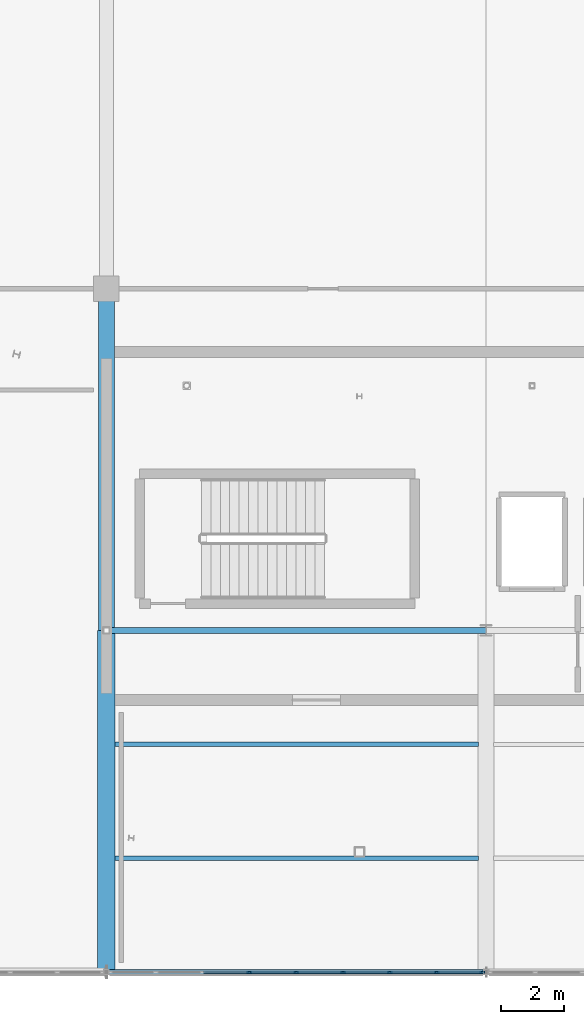
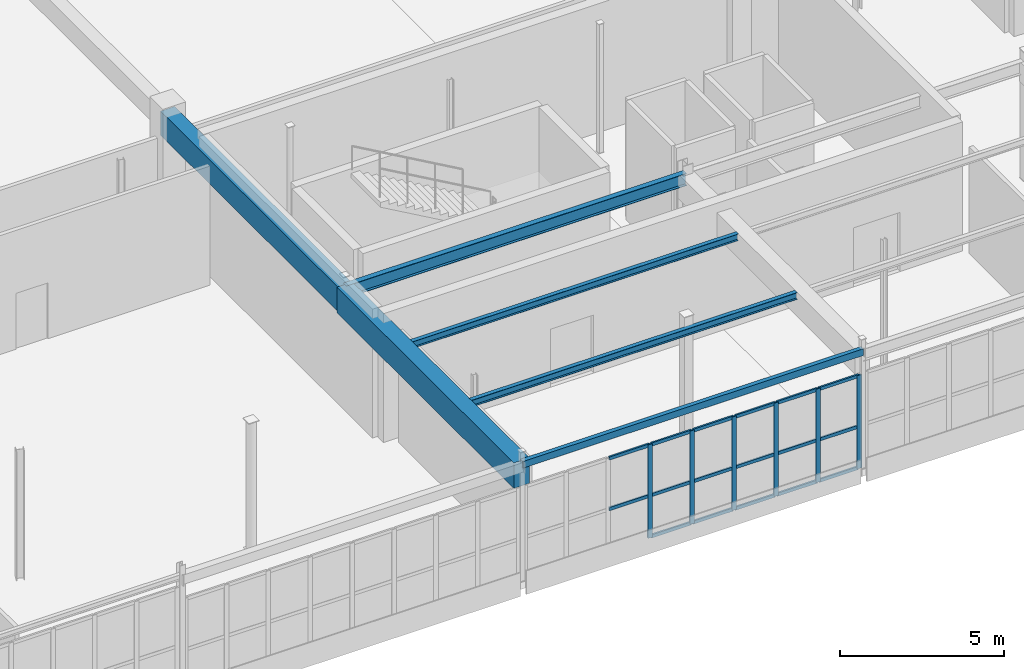
# One storey, part 78 of 226: 23 members, 6 beams, 1 element without a shape of its own.
"""IFC4 building model written with IfcOpenShell, lengths in metres."""

from ifc_helpers import new_model, si_unit, direction, frame, origin, origin_2d, place, context, subcontext, project, spatial, rectangle, hollow_rectangle, i_section, extrude, material, layer, layer_set, material_profile, profile_set, type_object, element, aggregate, save


model = new_model("IFC4")

# Units and contexts
model_context = context("Model", 3, precision=1e-05, world=origin(), true_north=direction((0.0, 1.0)))
body_context = subcontext(model_context, "Body", "Model", "MODEL_VIEW")
ifc_project = project(units=[si_unit("LENGTHUNIT", "METRE"), si_unit("AREAUNIT", "SQUARE_METRE"), si_unit("VOLUMEUNIT", "CUBIC_METRE"), si_unit("PLANEANGLEUNIT", "RADIAN"), si_unit("MASSUNIT", "GRAM", prefix="KILO")], contexts=[model_context])

# Site, building, storey
site_placement = place(None, origin())
site = spatial("IfcSite", under=ifc_project, at=site_placement, CompositionType="ELEMENT")
building_placement = place(site_placement, origin())
building = spatial("IfcBuilding", under=site, at=building_placement, Name="Tarnwether General Hospital", CompositionType="ELEMENT")
storey_placement = place(building_placement, frame((0.0, 0.0, 4.800048828125)))
storey = spatial("IfcBuildingStorey", under=building, at=storey_placement, Name="L01", CompositionType="ELEMENT", Elevation=4.800048828125)

# Beams
ifc_material_1 = material(Name="Steel Grade 350 (350 MPa)", Category="steel")
ifc_material_profile_1 = material_profile(ifc_material_1, i_section(OverallWidth=0.18994140625, OverallDepth=0.45703125, WebThickness=0.009033203125, FlangeThickness=0.014404296875, at=origin_2d()), Name="460UB74.6")
ifc_profile_set_1 = profile_set([ifc_material_profile_1], Name="Steel Grade 350 (350 MPa)")
beam_type_1 = type_object("IfcBeamType", Name="BM-G09", PredefinedType="BEAM", material=ifc_profile_set_1)
beam_1_placement = place(storey_placement, frame((84.0, 10.800048828125, 4.216552734375), z_axis=(1.0, 0.0, 0.0), x_axis=(0.0, 1.0, 0.0)))
element("IfcBeam", 1, at=beam_1_placement, inside=storey, type_object=beam_type_1, Name="Primary Girder BMG-L01-8400_1080-9600_1080-1145", PredefinedType="BEAM", context=body_context, shape_type="SweptSolid", body=[
    extrude(i_section(OverallWidth=0.18994140625, OverallDepth=0.45703125, WebThickness=0.009033203125, FlangeThickness=0.014404296875, at=origin_2d()), origin(), (0.0, 0.0, 1.0), 12.0),
])
ifc_material_2 = material(Name="Concrete 40 MPa", Category="concrete")
ifc_material_profile_2 = material_profile(ifc_material_2, rectangle(XDim=0.550048828125, YDim=0.949951171875, at=origin_2d()), Name="RC-BM-550x950")
ifc_profile_set_2 = profile_set([ifc_material_profile_2], Name="Concrete 40 MPa")
beam_type_2 = type_object("IfcBeamType", Name="BM-G11", PredefinedType="BEAM", material=ifc_profile_set_2)
beam_2_placement = place(storey_placement, frame((84.0, 0.0, 3.969970703125), z_axis=(0.0, 1.0, 0.0), x_axis=(-1.0, 0.0, 0.0)))
element("IfcBeam", 2, at=beam_2_placement, inside=storey, type_object=beam_type_2, Name="Primary Girder BMG-L01-8400_0-8400_1080-1144", PredefinedType="BEAM", context=body_context, shape_type="SweptSolid", body=[
    extrude(rectangle(XDim=0.550048828125, YDim=0.949951171875, at=origin_2d()), origin(), (0.0, 0.0, 1.0), 10.800048828125),
])
ifc_material_3 = material(Name="Concrete 40 MPa", Category="concrete")
ifc_material_profile_3 = material_profile(ifc_material_3, rectangle(XDim=0.5, YDim=0.89990234375, at=origin_2d()), Name="RC-BM-500x900")
ifc_profile_set_3 = profile_set([ifc_material_profile_3], Name="Concrete 40 MPa")
beam_type_3 = type_object("IfcBeamType", Name="BM-G12", PredefinedType="BEAM", material=ifc_profile_set_3)
beam_3_placement = place(storey_placement, frame((84.0, 10.800048828125, 3.994873046875), z_axis=(0.0, 1.0, 0.0), x_axis=(-1.0, 0.0, 0.0)))
element("IfcBeam", 3, at=beam_3_placement, inside=storey, type_object=beam_type_3, Name="Primary Girder BMG-L01-8400_1080-8400_2160-1146", PredefinedType="BEAM", context=body_context, shape_type="SweptSolid", body=[
    extrude(rectangle(XDim=0.5, YDim=0.89990234375, at=origin_2d()), origin(), (0.0, 0.0, 1.0), 10.800048828125),
])
ifc_material_4 = material(Name="Steel Grade 350 (350 MPa)", Category="steel")
ifc_material_profile_4 = material_profile(ifc_material_4, i_section(OverallWidth=0.14599609375, OverallDepth=0.256103515625, WebThickness=0.00634765625, FlangeThickness=0.010986328125, at=origin_2d()), Name="250UB37.3")
ifc_profile_set_4 = profile_set([ifc_material_profile_4], Name="Steel Grade 350 (350 MPa)")
beam_type_4 = type_object("IfcBeamType", Name="BM-J09", PredefinedType="JOIST", material=ifc_profile_set_4)
beam_4_placement = place(storey_placement, frame((84.26904296875, 3.60009765625, 4.31689453125), z_axis=(1.0, 0.0, 0.0), x_axis=(0.0, 1.0, 0.0)))
element("IfcBeam", 4, at=beam_4_placement, inside=storey, type_object=beam_type_4, Name="Composite Floor Joist BMG-L01-8427_360-9576_360-1361", PredefinedType="JOIST", context=body_context, shape_type="SweptSolid", body=[
    extrude(i_section(OverallWidth=0.14599609375, OverallDepth=0.256103515625, WebThickness=0.00634765625, FlangeThickness=0.010986328125, at=origin_2d()), origin(), (0.0, 0.0, 1.0), 11.487060546875),
])
ifc_material_5 = material(Name="Steel Grade 350 (350 MPa)", Category="steel")
ifc_material_profile_5 = material_profile(ifc_material_5, i_section(OverallWidth=0.14599609375, OverallDepth=0.251953125, WebThickness=0.006103515625, FlangeThickness=0.008544921875, at=origin_2d()), Name="250UB31.4")
ifc_profile_set_5 = profile_set([ifc_material_profile_5], Name="Steel Grade 350 (350 MPa)")
beam_type_5 = type_object("IfcBeamType", Name="BM-J10", PredefinedType="JOIST", material=ifc_profile_set_5)
beam_5_placement = place(storey_placement, frame((84.26904296875, 7.199951171875, 4.31884765625), z_axis=(1.0, 0.0, 0.0), x_axis=(0.0, 1.0, 0.0)))
element("IfcBeam", 5, at=beam_5_placement, inside=storey, type_object=beam_type_5, Name="Composite Floor Joist BMG-L01-8427_720-9576_720-1362", PredefinedType="JOIST", context=body_context, shape_type="SweptSolid", body=[
    extrude(i_section(OverallWidth=0.14599609375, OverallDepth=0.251953125, WebThickness=0.006103515625, FlangeThickness=0.008544921875, at=origin_2d()), origin(), (0.0, 0.0, 1.0), 11.487060546875),
])
ifc_material_6 = material(Name="Steel Grade C350L0 (350 MPa)", Category="steel")
ifc_material_profile_6 = material_profile(ifc_material_6, hollow_rectangle(XDim=0.14990234375, YDim=0.25, WallThickness=0.008056640625, at=origin_2d()), Name="RHS250x150x8")
ifc_profile_set_6 = profile_set([ifc_material_profile_6], Name="Steel Grade C350L0 (350 MPa)")
beam_type_6 = type_object("IfcBeamType", Name="BM-SP8", PredefinedType="SPANDREL", material=ifc_profile_set_6)
beam_6_placement = place(storey_placement, frame((84.0, 0.0, 4.320068359375), z_axis=(1.0, 0.0, 0.0), x_axis=(0.0, 1.0, 0.0)))
element("IfcBeam", 6, at=beam_6_placement, inside=storey, type_object=beam_type_6, Name="Primary Girder BMG-L01-8400_0-9600_0-1143", PredefinedType="SPANDREL", context=body_context, shape_type="SweptSolid", body=[
    extrude(hollow_rectangle(XDim=0.14990234375, YDim=0.25, WallThickness=0.008056640625, at=origin_2d()), origin(), (0.0, 0.0, 1.0), 12.0),
])

# Curtain wall, members
ifc_material_7 = material(Name="Anodised aluminium", Category="aluminium")
ifc_layer = layer(ifc_material_7, 0.159912109375)
ifc_layer_set = layer_set([ifc_layer], Name="Anodised aluminium")
curtain_wall_type = type_object("IfcCurtainWallType", Name="CW-13", PredefinedType="NOTDEFINED", material=ifc_layer_set)
curtain_wall_placement = place(storey_placement, origin())
curtain_wall = element("IfcCurtainWall", 7, at=curtain_wall_placement, inside=storey, type_object=curtain_wall_type, Name="Curtain Wall CWG-L01-959_0-0332", PredefinedType="NOTDEFINED")
ifc_material_8 = material(Name="Anodised aluminium", Category="aluminium")
ifc_material_profile_7 = material_profile(ifc_material_8, rectangle(XDim=0.06005859375, YDim=0.159912109375, at=origin_2d()), Name="ALU-MUL-60x160")
ifc_profile_set_7 = profile_set([ifc_material_profile_7], Name="Anodised aluminium")
member_type_1 = type_object("IfcMemberType", Name="CW-ML1", PredefinedType="MULLION", material=ifc_profile_set_7)
member_1_placement = place(storey_placement, frame((95.886962890625, 0.0, 0.0), z_axis=(0.0, 0.0, 1.0), x_axis=(0.0, -1.0, 0.0)))
member_1 = element("IfcMember", 8, at=member_1_placement, type_object=member_type_1, Name="CW-13 mullion 1", PredefinedType="MULLION", context=body_context, shape_type="SweptSolid", body=[
    extrude(rectangle(XDim=0.06005859375, YDim=0.159912109375, at=origin_2d()), origin(), (0.0, 0.0, 1.0), 3.47998046875),
])
member_2_placement = place(storey_placement, frame((94.437744140625, 0.0, 0.0), z_axis=(0.0, 0.0, 1.0), x_axis=(0.0, -1.0, 0.0)))
member_2 = element("IfcMember", 9, at=member_2_placement, type_object=member_type_1, Name="CW-13 mullion 2", PredefinedType="MULLION", context=body_context, shape_type="SweptSolid", body=[
    extrude(rectangle(XDim=0.06005859375, YDim=0.159912109375, at=origin_2d()), origin(), (0.0, 0.0, 1.0), 3.47998046875),
])
member_3_placement = place(storey_placement, frame((92.95849609375, 0.0, 0.0), z_axis=(0.0, 0.0, 1.0), x_axis=(0.0, -1.0, 0.0)))
member_3 = element("IfcMember", 10, at=member_3_placement, type_object=member_type_1, Name="CW-13 mullion 3", PredefinedType="MULLION", context=body_context, shape_type="SweptSolid", body=[
    extrude(rectangle(XDim=0.06005859375, YDim=0.159912109375, at=origin_2d()), origin(), (0.0, 0.0, 1.0), 3.47998046875),
])
member_4_placement = place(storey_placement, frame((91.479248046875, 0.0, 0.0), z_axis=(0.0, 0.0, 1.0), x_axis=(0.0, -1.0, 0.0)))
member_4 = element("IfcMember", 11, at=member_4_placement, type_object=member_type_1, Name="CW-13 mullion 4", PredefinedType="MULLION", context=body_context, shape_type="SweptSolid", body=[
    extrude(rectangle(XDim=0.06005859375, YDim=0.159912109375, at=origin_2d()), origin(), (0.0, 0.0, 1.0), 3.47998046875),
])
member_5_placement = place(storey_placement, frame((90.0, 0.0, 0.0), z_axis=(0.0, 0.0, 1.0), x_axis=(0.0, -1.0, 0.0)))
member_5 = element("IfcMember", 12, at=member_5_placement, type_object=member_type_1, Name="CW-13 mullion 5", PredefinedType="MULLION", context=body_context, shape_type="SweptSolid", body=[
    extrude(rectangle(XDim=0.06005859375, YDim=0.159912109375, at=origin_2d()), origin(), (0.0, 0.0, 1.0), 3.47998046875),
])
member_6_placement = place(storey_placement, frame((88.520751953125, 0.0, 0.0), z_axis=(0.0, 0.0, 1.0), x_axis=(0.0, -1.0, 0.0)))
member_6 = element("IfcMember", 13, at=member_6_placement, type_object=member_type_1, Name="CW-13 mullion 6", PredefinedType="MULLION", context=body_context, shape_type="SweptSolid", body=[
    extrude(rectangle(XDim=0.06005859375, YDim=0.159912109375, at=origin_2d()), origin(), (0.0, 0.0, 1.0), 3.47998046875),
])
ifc_material_9 = material(Name="Anodised aluminium", Category="aluminium")
ifc_material_profile_8 = material_profile(ifc_material_9, rectangle(XDim=0.06005859375, YDim=0.1201171875, at=origin_2d()), Name="ALU-TRN-60x120")
ifc_profile_set_8 = profile_set([ifc_material_profile_8], Name="Anodised aluminium")
member_type_2 = type_object("IfcMemberType", Name="CW-TR1", PredefinedType="USERDEFINED", material=ifc_profile_set_8)
member_7_placement = place(storey_placement, frame((95.85693359375, 0.0, 0.030029296875), z_axis=(-1.0, 0.0, 0.0), x_axis=(0.0, -1.0, 0.0)))
member_7 = element("IfcMember", 14, at=member_7_placement, type_object=member_type_2, Name="CW-13 transom 1.1", ObjectType="TRANSOM", PredefinedType="USERDEFINED", context=body_context, shape_type="SweptSolid", body=[
    extrude(rectangle(XDim=0.06005859375, YDim=0.1201171875, at=origin_2d()), origin(), (0.0, 0.0, 1.0), 1.38916015625),
])
member_8_placement = place(storey_placement, frame((95.85693359375, 0.0, 1.56591796875), z_axis=(-1.0, 0.0, 0.0), x_axis=(0.0, -1.0, 0.0)))
member_8 = element("IfcMember", 15, at=member_8_placement, type_object=member_type_2, Name="CW-13 transom 1.2", ObjectType="TRANSOM", PredefinedType="USERDEFINED", context=body_context, shape_type="SweptSolid", body=[
    extrude(rectangle(XDim=0.06005859375, YDim=0.1201171875, at=origin_2d()), origin(), (0.0, 0.0, 1.0), 1.38916015625),
])
member_9_placement = place(storey_placement, frame((95.85693359375, 0.0, 3.449951171875), z_axis=(-1.0, 0.0, 0.0), x_axis=(0.0, -1.0, 0.0)))
member_9 = element("IfcMember", 16, at=member_9_placement, type_object=member_type_2, Name="CW-13 transom 1.3", ObjectType="TRANSOM", PredefinedType="USERDEFINED", context=body_context, shape_type="SweptSolid", body=[
    extrude(rectangle(XDim=0.06005859375, YDim=0.1201171875, at=origin_2d()), origin(), (0.0, 0.0, 1.0), 1.38916015625),
])
member_10_placement = place(storey_placement, frame((94.40771484375, 0.0, 0.030029296875), z_axis=(-1.0, 0.0, 0.0), x_axis=(0.0, -1.0, 0.0)))
member_10 = element("IfcMember", 17, at=member_10_placement, type_object=member_type_2, Name="CW-13 transom 2.1", ObjectType="TRANSOM", PredefinedType="USERDEFINED", context=body_context, shape_type="SweptSolid", body=[
    extrude(rectangle(XDim=0.06005859375, YDim=0.1201171875, at=origin_2d()), origin(), (0.0, 0.0, 1.0), 1.419189453125),
])
member_11_placement = place(storey_placement, frame((94.40771484375, 0.0, 1.56591796875), z_axis=(-1.0, 0.0, 0.0), x_axis=(0.0, -1.0, 0.0)))
member_11 = element("IfcMember", 18, at=member_11_placement, type_object=member_type_2, Name="CW-13 transom 2.2", ObjectType="TRANSOM", PredefinedType="USERDEFINED", context=body_context, shape_type="SweptSolid", body=[
    extrude(rectangle(XDim=0.06005859375, YDim=0.1201171875, at=origin_2d()), origin(), (0.0, 0.0, 1.0), 1.419189453125),
])
member_12_placement = place(storey_placement, frame((94.40771484375, 0.0, 3.449951171875), z_axis=(-1.0, 0.0, 0.0), x_axis=(0.0, -1.0, 0.0)))
member_12 = element("IfcMember", 19, at=member_12_placement, type_object=member_type_2, Name="CW-13 transom 2.3", ObjectType="TRANSOM", PredefinedType="USERDEFINED", context=body_context, shape_type="SweptSolid", body=[
    extrude(rectangle(XDim=0.06005859375, YDim=0.1201171875, at=origin_2d()), origin(), (0.0, 0.0, 1.0), 1.419189453125),
])
member_13_placement = place(storey_placement, frame((92.928466796875, 0.0, 0.030029296875), z_axis=(-1.0, 0.0, 0.0), x_axis=(0.0, -1.0, 0.0)))
member_13 = element("IfcMember", 20, at=member_13_placement, type_object=member_type_2, Name="CW-13 transom 3.1", ObjectType="TRANSOM", PredefinedType="USERDEFINED", context=body_context, shape_type="SweptSolid", body=[
    extrude(rectangle(XDim=0.06005859375, YDim=0.1201171875, at=origin_2d()), origin(), (0.0, 0.0, 1.0), 1.419189453125),
])
member_14_placement = place(storey_placement, frame((92.928466796875, 0.0, 1.56591796875), z_axis=(-1.0, 0.0, 0.0), x_axis=(0.0, -1.0, 0.0)))
member_14 = element("IfcMember", 21, at=member_14_placement, type_object=member_type_2, Name="CW-13 transom 3.2", ObjectType="TRANSOM", PredefinedType="USERDEFINED", context=body_context, shape_type="SweptSolid", body=[
    extrude(rectangle(XDim=0.06005859375, YDim=0.1201171875, at=origin_2d()), origin(), (0.0, 0.0, 1.0), 1.419189453125),
])
member_15_placement = place(storey_placement, frame((92.928466796875, 0.0, 3.449951171875), z_axis=(-1.0, 0.0, 0.0), x_axis=(0.0, -1.0, 0.0)))
member_15 = element("IfcMember", 22, at=member_15_placement, type_object=member_type_2, Name="CW-13 transom 3.3", ObjectType="TRANSOM", PredefinedType="USERDEFINED", context=body_context, shape_type="SweptSolid", body=[
    extrude(rectangle(XDim=0.06005859375, YDim=0.1201171875, at=origin_2d()), origin(), (0.0, 0.0, 1.0), 1.419189453125),
])
member_16_placement = place(storey_placement, frame((91.44921875, 0.0, 0.030029296875), z_axis=(-1.0, 0.0, 0.0), x_axis=(0.0, -1.0, 0.0)))
member_16 = element("IfcMember", 23, at=member_16_placement, type_object=member_type_2, Name="CW-13 transom 4.1", ObjectType="TRANSOM", PredefinedType="USERDEFINED", context=body_context, shape_type="SweptSolid", body=[
    extrude(rectangle(XDim=0.06005859375, YDim=0.1201171875, at=origin_2d()), origin(), (0.0, 0.0, 1.0), 1.419189453125),
])
member_17_placement = place(storey_placement, frame((91.44921875, 0.0, 1.56591796875), z_axis=(-1.0, 0.0, 0.0), x_axis=(0.0, -1.0, 0.0)))
member_17 = element("IfcMember", 24, at=member_17_placement, type_object=member_type_2, Name="CW-13 transom 4.2", ObjectType="TRANSOM", PredefinedType="USERDEFINED", context=body_context, shape_type="SweptSolid", body=[
    extrude(rectangle(XDim=0.06005859375, YDim=0.1201171875, at=origin_2d()), origin(), (0.0, 0.0, 1.0), 1.419189453125),
])
member_18_placement = place(storey_placement, frame((91.44921875, 0.0, 3.449951171875), z_axis=(-1.0, 0.0, 0.0), x_axis=(0.0, -1.0, 0.0)))
member_18 = element("IfcMember", 25, at=member_18_placement, type_object=member_type_2, Name="CW-13 transom 4.3", ObjectType="TRANSOM", PredefinedType="USERDEFINED", context=body_context, shape_type="SweptSolid", body=[
    extrude(rectangle(XDim=0.06005859375, YDim=0.1201171875, at=origin_2d()), origin(), (0.0, 0.0, 1.0), 1.419189453125),
])
member_19_placement = place(storey_placement, frame((89.969970703125, 0.0, 0.030029296875), z_axis=(-1.0, 0.0, 0.0), x_axis=(0.0, -1.0, 0.0)))
member_19 = element("IfcMember", 26, at=member_19_placement, type_object=member_type_2, Name="CW-13 transom 5.1", ObjectType="TRANSOM", PredefinedType="USERDEFINED", context=body_context, shape_type="SweptSolid", body=[
    extrude(rectangle(XDim=0.06005859375, YDim=0.1201171875, at=origin_2d()), origin(), (0.0, 0.0, 1.0), 1.419189453125),
])
member_20_placement = place(storey_placement, frame((89.969970703125, 0.0, 1.56591796875), z_axis=(-1.0, 0.0, 0.0), x_axis=(0.0, -1.0, 0.0)))
member_20 = element("IfcMember", 27, at=member_20_placement, type_object=member_type_2, Name="CW-13 transom 5.2", ObjectType="TRANSOM", PredefinedType="USERDEFINED", context=body_context, shape_type="SweptSolid", body=[
    extrude(rectangle(XDim=0.06005859375, YDim=0.1201171875, at=origin_2d()), origin(), (0.0, 0.0, 1.0), 1.419189453125),
])
member_21_placement = place(storey_placement, frame((89.969970703125, 0.0, 3.449951171875), z_axis=(-1.0, 0.0, 0.0), x_axis=(0.0, -1.0, 0.0)))
member_21 = element("IfcMember", 28, at=member_21_placement, type_object=member_type_2, Name="CW-13 transom 5.3", ObjectType="TRANSOM", PredefinedType="USERDEFINED", context=body_context, shape_type="SweptSolid", body=[
    extrude(rectangle(XDim=0.06005859375, YDim=0.1201171875, at=origin_2d()), origin(), (0.0, 0.0, 1.0), 1.419189453125),
])
member_22_placement = place(storey_placement, frame((88.49072265625, 0.0, 1.56591796875), z_axis=(-1.0, 0.0, 0.0), x_axis=(0.0, -1.0, 0.0)))
member_22 = element("IfcMember", 29, at=member_22_placement, type_object=member_type_2, Name="CW-13 transom 6.2", ObjectType="TRANSOM", PredefinedType="USERDEFINED", context=body_context, shape_type="SweptSolid", body=[
    extrude(rectangle(XDim=0.06005859375, YDim=0.1201171875, at=origin_2d()), origin(), (0.0, 0.0, 1.0), 1.419189453125),
])
member_23_placement = place(storey_placement, frame((88.49072265625, 0.0, 3.449951171875), z_axis=(-1.0, 0.0, 0.0), x_axis=(0.0, -1.0, 0.0)))
member_23 = element("IfcMember", 30, at=member_23_placement, type_object=member_type_2, Name="CW-13 transom 6.3", ObjectType="TRANSOM", PredefinedType="USERDEFINED", context=body_context, shape_type="SweptSolid", body=[
    extrude(rectangle(XDim=0.06005859375, YDim=0.1201171875, at=origin_2d()), origin(), (0.0, 0.0, 1.0), 1.419189453125),
])
aggregate(curtain_wall, [member_1, member_2, member_3, member_4, member_5, member_6, member_7, member_8, member_9, member_10, member_11, member_12, member_13, member_14, member_15, member_16, member_17, member_18, member_19, member_20, member_21, member_22, member_23])

save(model, "model.ifc")
